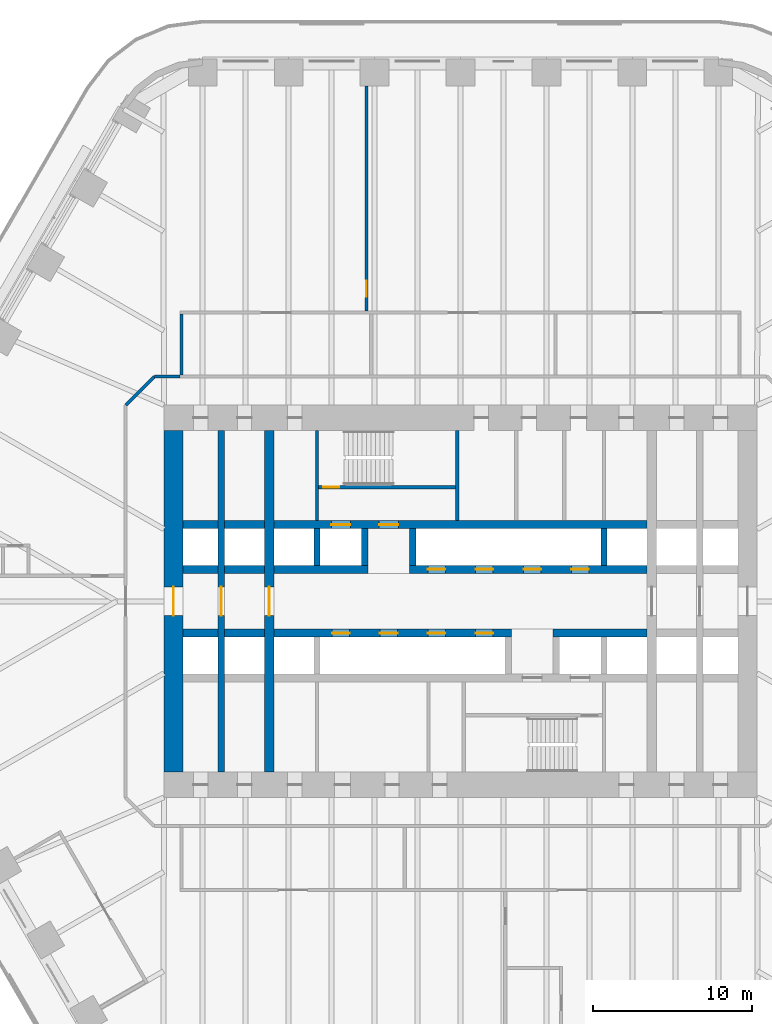
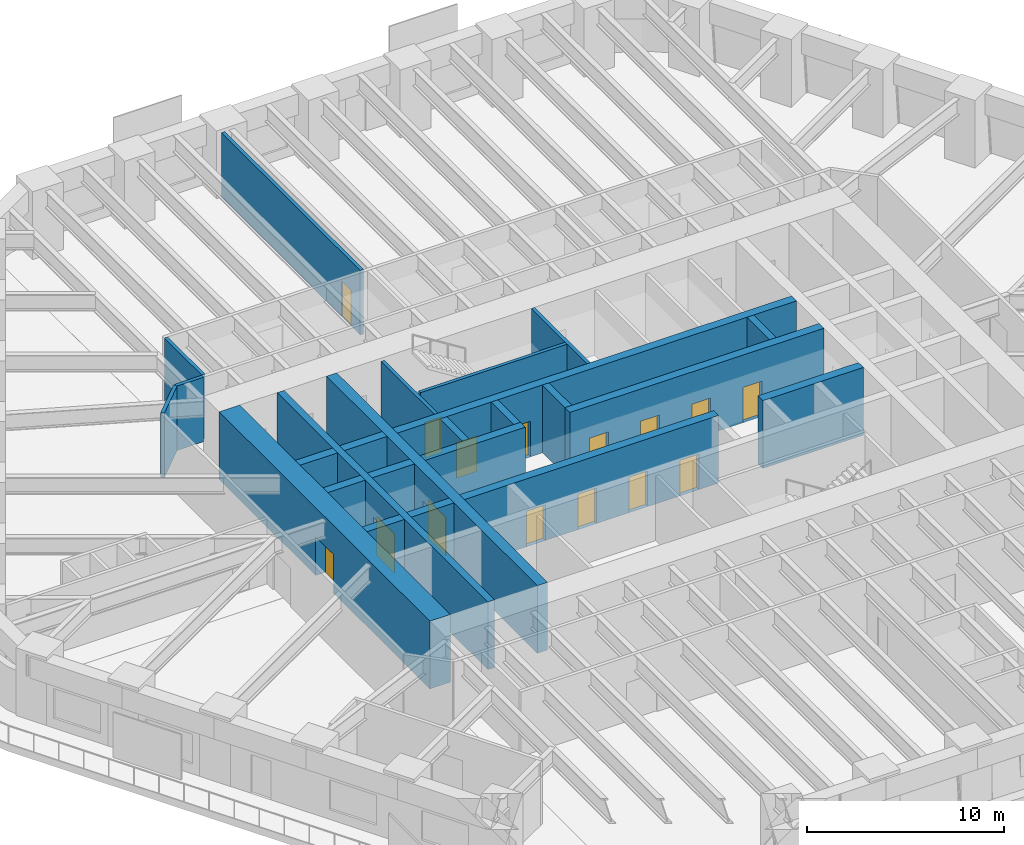
# One storey, part 18 of 23: 25 walls, 15 doors, 15 openings.
"""IFC4 building model written with IfcOpenShell, lengths in metres."""

from ifc_helpers import new_model, si_unit, direction, frame, frame_2d, origin, place, context, subcontext, project, spatial, rectangle, extrude, material, layer, layer_set, type_object, element, fill, save


model = new_model("IFC4")

# Units and contexts
model_context = context("Model", 3, precision=1e-05, world=origin(), true_north=direction((0.0, 1.0)))
body_context = subcontext(model_context, "Body", "Model", "MODEL_VIEW")
ifc_project = project(units=[si_unit("LENGTHUNIT", "METRE"), si_unit("AREAUNIT", "SQUARE_METRE"), si_unit("VOLUMEUNIT", "CUBIC_METRE"), si_unit("PLANEANGLEUNIT", "RADIAN"), si_unit("MASSUNIT", "GRAM", prefix="KILO")], contexts=[model_context])

# Site, building, storey
site_placement = place(None, origin())
site = spatial("IfcSite", under=ifc_project, at=site_placement, CompositionType="ELEMENT")
building_placement = place(site_placement, origin())
building = spatial("IfcBuilding", under=site, at=building_placement, Name="Tarfa Lantern Tower", CompositionType="ELEMENT")
storey_placement = place(building_placement, frame((0.0, 0.0, 86.5)))
storey = spatial("IfcBuildingStorey", under=building, at=storey_placement, Name="L19", CompositionType="ELEMENT", Elevation=86.5)

# Walls
ifc_material_1 = material(Name="Concrete blockwork", Category="masonry")
ifc_layer_1 = layer(ifc_material_1, 0.199951171875)
ifc_layer_set_1 = layer_set([ifc_layer_1], Name="IW1 BLOCKWORK PARTITION 200 EI 120")
wall_type_1 = type_object("IfcWallType", Name="IW1 BLOCKWORK PARTITION 200 EI 120", PredefinedType="PARTITIONING", material=ifc_layer_set_1)
wall_1_placement = place(storey_placement, frame((-9.0, 5.050048828125, 0.0), z_axis=(0.0, 0.0, 1.0), x_axis=(0.0, 1.0, 0.0)))
element("IfcWall", 1, at=wall_1_placement, inside=storey, type_object=wall_type_1, Name="Core partition", PredefinedType="PARTITIONING", context=body_context, shape_type="SweptSolid", body=[
    extrude(rectangle(XDim=5.64990234375, YDim=0.199951171875, at=frame_2d((2.824951171875, 0.0))), origin(), (0.0, 0.0, 1.0), 4.0),
])
ifc_material_2 = material(Name="Gypsum board on steel studs", Category="steel")
ifc_layer_2 = layer(ifc_material_2, 0.2099609375)
ifc_layer_set_2 = layer_set([ifc_layer_2], Name="IW2 ACOUSTIC PARTITION 200")
wall_type_2 = type_object("IfcWallType", Name="IW2 ACOUSTIC PARTITION 200", PredefinedType="PARTITIONING", material=ifc_layer_set_2)
wall_2_placement = place(storey_placement, frame((-17.5, 14.199951171875, 0.0), z_axis=(0.0, 0.0, 1.0), x_axis=(0.0, 1.0, 0.0)))
element("IfcWall", 2, at=wall_2_placement, inside=storey, type_object=wall_type_2, Name="Partition", PredefinedType="PARTITIONING", context=body_context, shape_type="SweptSolid", body=[
    extrude(rectangle(XDim=3.800048828125, YDim=0.199951171875, at=frame_2d((1.89990234375, 0.0))), origin(), (0.0, 0.0, 1.0), 4.0),
])
wall_3_placement = place(storey_placement, frame((-19.199951171875, 14.10009765625, 0.0), z_axis=(0.0, 0.0, 1.0), x_axis=(1.0, 0.0, 0.0)))
element("IfcWall", 3, at=wall_3_placement, inside=storey, type_object=wall_type_2, Name="Partition", PredefinedType="PARTITIONING", context=body_context, shape_type="SweptSolid", body=[
    extrude(rectangle(XDim=1.599853515625, YDim=0.199951171875, at=frame_2d((0.7998046875, 0.0))), origin(), (0.0, 0.0, 1.0), 4.0),
])
wall_4_placement = place(storey_placement, frame((-21.0, 12.300048828125, 0.0), z_axis=(0.0, 0.0, 1.0), x_axis=(0.707106781187, 0.707106781187, 0.0)))
element("IfcWall", 4, at=wall_4_placement, inside=storey, type_object=wall_type_2, Name="Partition", PredefinedType="PARTITIONING", context=body_context, shape_type="SweptSolid", body=[
    extrude(rectangle(XDim=2.545654296875, YDim=0.199951171875, at=frame_2d((1.27294921875, 0.0))), origin(), (0.0, 0.0, 1.0), 4.0),
])

# Wall, opening, door
wall_5_placement = place(storey_placement, frame((-5.89990234375, 18.199951171875, 0.0), z_axis=(0.0, 0.0, 1.0), x_axis=(0.0, 1.0, 0.0)))
wall_5 = element("IfcWall", 5, at=wall_5_placement, inside=storey, type_object=wall_type_2, Name="Partition", PredefinedType="PARTITIONING", context=body_context, shape_type="SweptSolid", body=[
    extrude(rectangle(XDim=14.10009765625, YDim=0.199951171875, at=frame_2d((7.050048828125, 0.0))), origin(), (0.0, 0.0, 1.0), 4.0),
])
opening_1_placement = place(wall_5_placement, frame((0.909912109375, 0.0, 0.0)))
opening_1 = element("IfcOpeningElement", 6, at=opening_1_placement, cuts=wall_5, Name="Opening D44", PredefinedType="OPENING", context=body_context, shape_type="SweptSolid", body=[
    extrude(rectangle(XDim=1.0, YDim=2.199951171875, at=frame_2d((0.5, 1.10009765625))), frame((0.0, 0.10986328125, 0.0), z_axis=(0.0, -1.0, 0.0), x_axis=(1.0, 0.0, 0.0)), (0.0, 0.0, 1.0), 0.219970703125),
])
ifc_material_3 = material(Name="Timber door", Category="wood")
door_type_1 = type_object("IfcDoorType", Name="DR1 ROOM DOOR 1000x2200", OperationType="SINGLE_SWING_LEFT", PredefinedType="DOOR", material=ifc_material_3)
door_1_placement = place(opening_1_placement, origin())
door_1 = element("IfcDoor", 7, at=door_1_placement, inside=storey, type_object=door_type_1, Name="Zone door", OperationType="SINGLE_SWING_RIGHT", OverallHeight=2.199951171875, OverallWidth=1.0, PredefinedType="DOOR", context=body_context, shape_type="SweptSolid", body=[
    extrude(rectangle(XDim=1.0, YDim=2.199951171875, at=frame_2d((0.5, 1.10009765625))), frame((0.0, 0.02490234375, 0.0), z_axis=(0.0, -1.0, 0.0), x_axis=(1.0, 0.0, 0.0)), (0.0, 0.0, 1.0), 0.050048828125),
])
fill(opening_1, door_1)

ifc_material_4 = material(Name="Concrete C80/95", Category="concrete")
ifc_layer_3 = layer(ifc_material_4, 1.199951171875)
ifc_layer_set_3 = layer_set([ifc_layer_3], Name="SW1 CORE WALL 1200")
wall_type_3 = type_object("IfcWallType", Name="SW1 CORE WALL 1200", PredefinedType="SHEAR", material=ifc_layer_set_3)
wall_6_placement = place(storey_placement, frame((-18.0, 10.699951171875, 0.0), z_axis=(0.0, 0.0, 1.0), x_axis=(0.0, -1.0, 0.0)))
wall_6 = element("IfcWall", 8, at=wall_6_placement, inside=storey, type_object=wall_type_3, Name="Core wall W", PredefinedType="SHEAR", context=body_context, shape_type="SweptSolid", body=[
    extrude(rectangle(XDim=21.39990234375, YDim=1.199951171875, at=frame_2d((10.699951171875, 0.0))), origin(), (0.0, 0.0, 1.0), 4.199951171875),
])
opening_2_placement = place(wall_6_placement, frame((9.800048828125, 0.0, 0.0)))
opening_2 = element("IfcOpeningElement", 9, at=opening_2_placement, cuts=wall_6, Name="Opening D16", PredefinedType="OPENING", context=body_context, shape_type="SweptSolid", body=[
    extrude(rectangle(XDim=1.800048828125, YDim=2.39990234375, at=frame_2d((0.89990234375, 1.199951171875))), frame((0.0, 0.60986328125, 0.0), z_axis=(0.0, -1.0, 0.0), x_axis=(1.0, 0.0, 0.0)), (0.0, 0.0, 1.0), 1.219970703125),
])
ifc_material_5 = material(Name="Steel fire door", Category="steel")
door_type_2 = type_object("IfcDoorType", Name="DL1 LOBBY DOOR 1800x2400", OperationType="DOUBLE_DOOR_SINGLE_SWING", PredefinedType="DOOR", material=ifc_material_5)
door_2_placement = place(opening_2_placement, frame((1.800048828125, 0.0, 0.0), z_axis=(0.0, 0.0, 1.0), x_axis=(-1.0, 0.0, 0.0)))
door_2 = element("IfcDoor", 10, at=door_2_placement, inside=storey, type_object=door_type_2, Name="Lift lobby door", OperationType="DOUBLE_DOOR_SINGLE_SWING", OverallHeight=2.39990234375, OverallWidth=1.800048828125, PredefinedType="DOOR", context=body_context, shape_type="SweptSolid", body=[
    extrude(rectangle(XDim=1.800048828125, YDim=2.39990234375, at=frame_2d((0.89990234375, 1.199951171875))), frame((0.0, 0.02490234375, 0.0), z_axis=(0.0, -1.0, 0.0), x_axis=(1.0, 0.0, 0.0)), (0.0, 0.0, 1.0), 0.050048828125),
])
fill(opening_2, door_2)

# Wall
ifc_layer_4 = layer(ifc_material_4, 0.199951171875)
ifc_layer_set_4 = layer_set([ifc_layer_4], Name="SW12 CORE WALL 200")
wall_type_4 = type_object("IfcWallType", Name="SW12 CORE WALL 200", PredefinedType="SHEAR", material=ifc_layer_set_4)
wall_7_placement = place(storey_placement, frame((-0.199951171875, 5.050048828125, 0.0), z_axis=(0.0, 0.0, 1.0), x_axis=(0.0, 1.0, 0.0)))
element("IfcWall", 11, at=wall_7_placement, inside=storey, type_object=wall_type_4, Name="Core wall stair shaft N", PredefinedType="SHEAR", context=body_context, shape_type="SweptSolid", body=[
    extrude(rectangle(XDim=5.64990234375, YDim=0.199951171875, at=frame_2d((2.824951171875, 0.0))), origin(), (0.0, 0.0, 1.0), 4.199951171875),
])

# Wall, opening, door
wall_8_placement = place(storey_placement, frame((-8.89990234375, 7.14990234375, 0.0), z_axis=(0.0, 0.0, 1.0), x_axis=(1.0, 0.0, 0.0)))
wall_8 = element("IfcWall", 12, at=wall_8_placement, inside=storey, type_object=wall_type_4, Name="Core wall stair partition N", PredefinedType="SHEAR", context=body_context, shape_type="SweptSolid", body=[
    extrude(rectangle(XDim=8.599853515625, YDim=0.199951171875, at=frame_2d((4.2998046875, 0.0))), origin(), (0.0, 0.0, 1.0), 4.199951171875),
])
opening_3_placement = place(wall_8_placement, frame((0.300048828125, 0.0, 0.0)))
opening_3 = element("IfcOpeningElement", 13, at=opening_3_placement, cuts=wall_8, Name="Opening D23", PredefinedType="OPENING", context=body_context, shape_type="SweptSolid", body=[
    extrude(rectangle(XDim=1.0, YDim=2.199951171875, at=frame_2d((0.5, 1.10009765625))), frame((0.0, 0.10986328125, 0.0), z_axis=(0.0, -1.0, 0.0), x_axis=(1.0, 0.0, 0.0)), (0.0, 0.0, 1.0), 0.219970703125),
])
door_type_3 = type_object("IfcDoorType", Name="DF2 STAIR DOOR 1000x2200", OperationType="SINGLE_SWING_LEFT", PredefinedType="DOOR", material=ifc_material_5)
door_3_placement = place(opening_3_placement, origin())
door_3 = element("IfcDoor", 14, at=door_3_placement, inside=storey, type_object=door_type_3, Name="Stair door", OperationType="SINGLE_SWING_RIGHT", OverallHeight=2.199951171875, OverallWidth=1.0, PredefinedType="DOOR", context=body_context, shape_type="SweptSolid", body=[
    extrude(rectangle(XDim=1.0, YDim=2.199951171875, at=frame_2d((0.5, 1.10009765625))), frame((0.0, 0.02490234375, 0.0), z_axis=(0.0, -1.0, 0.0), x_axis=(1.0, 0.0, 0.0)), (0.0, 0.0, 1.0), 0.050048828125),
])
fill(opening_3, door_3)

# Walls
ifc_layer_5 = layer(ifc_material_4, 0.5)
ifc_layer_set_5 = layer_set([ifc_layer_5], Name="SW5 CORE WALL 500")
wall_type_5 = type_object("IfcWallType", Name="SW5 CORE WALL 500", PredefinedType="SHEAR", material=ifc_layer_set_5)
wall_9_placement = place(storey_placement, frame((-17.39990234375, 2.0, 0.0), z_axis=(0.0, 0.0, 1.0), x_axis=(1.0, 0.0, 0.0)))
element("IfcWall", 15, at=wall_9_placement, inside=storey, type_object=wall_type_5, Name="Core wall lobby west N", PredefinedType="SHEAR", context=body_context, shape_type="SweptSolid", body=[
    extrude(rectangle(XDim=2.199951171875, YDim=0.5, at=frame_2d((1.10009765625, 0.0))), origin(), (0.0, 0.0, 1.0), 4.199951171875),
])
wall_10_placement = place(storey_placement, frame((-14.800048828125, 2.0, 0.0), z_axis=(0.0, 0.0, 1.0), x_axis=(1.0, 0.0, 0.0)))
element("IfcWall", 16, at=wall_10_placement, inside=storey, type_object=wall_type_5, Name="Core wall lobby west N", PredefinedType="SHEAR", context=body_context, shape_type="SweptSolid", body=[
    extrude(rectangle(XDim=2.5, YDim=0.5, at=frame_2d((1.25, 0.0))), origin(), (0.0, 0.0, 1.0), 4.199951171875),
])
wall_11_placement = place(storey_placement, frame((-11.699951171875, 2.0, 0.0), z_axis=(0.0, 0.0, 1.0), x_axis=(1.0, 0.0, 0.0)))
element("IfcWall", 17, at=wall_11_placement, inside=storey, type_object=wall_type_5, Name="Core wall lobby west N", PredefinedType="SHEAR", context=body_context, shape_type="SweptSolid", body=[
    extrude(rectangle(XDim=5.89990234375, YDim=0.5, at=frame_2d((2.949951171875, 0.0))), origin(), (0.0, 0.0, 1.0), 4.199951171875),
])

# Wall, openings, doors
wall_12_placement = place(storey_placement, frame((-3.199951171875, 2.0, 0.0), z_axis=(0.0, 0.0, 1.0), x_axis=(1.0, 0.0, 0.0)))
wall_12 = element("IfcWall", 18, at=wall_12_placement, inside=storey, type_object=wall_type_5, Name="Core wall lobby east N", PredefinedType="SHEAR", context=body_context, shape_type="SweptSolid", body=[
    extrude(rectangle(XDim=14.89990234375, YDim=0.5, at=frame_2d((7.449951171875, 0.0))), origin(), (0.0, 0.0, 1.0), 4.199951171875),
])
opening_4_placement = place(wall_12_placement, frame((1.14990234375, 0.0, 0.0)))
opening_4 = element("IfcOpeningElement", 19, at=opening_4_placement, cuts=wall_12, Name="Opening LD03", PredefinedType="OPENING", context=body_context, shape_type="SweptSolid", body=[
    extrude(rectangle(XDim=1.10009765625, YDim=2.199951171875, at=frame_2d((0.550048828125, 1.10009765625))), frame((0.0, 0.260009765625, 0.0), z_axis=(0.0, -1.0, 0.0), x_axis=(1.0, 0.0, 0.0)), (0.0, 0.0, 1.0), 0.52001953125),
])
opening_5_placement = place(wall_12_placement, frame((4.14990234375, 0.0, 0.0)))
opening_5 = element("IfcOpeningElement", 20, at=opening_5_placement, cuts=wall_12, Name="Opening LD04", PredefinedType="OPENING", context=body_context, shape_type="SweptSolid", body=[
    extrude(rectangle(XDim=1.10009765625, YDim=2.199951171875, at=frame_2d((0.550048828125, 1.10009765625))), frame((0.0, 0.260009765625, 0.0), z_axis=(0.0, -1.0, 0.0), x_axis=(1.0, 0.0, 0.0)), (0.0, 0.0, 1.0), 0.52001953125),
])
opening_6_placement = place(wall_12_placement, frame((7.14990234375, 0.0, 0.0)))
opening_6 = element("IfcOpeningElement", 21, at=opening_6_placement, cuts=wall_12, Name="Opening LD05", PredefinedType="OPENING", context=body_context, shape_type="SweptSolid", body=[
    extrude(rectangle(XDim=1.10009765625, YDim=2.199951171875, at=frame_2d((0.550048828125, 1.10009765625))), frame((0.0, 0.260009765625, 0.0), z_axis=(0.0, -1.0, 0.0), x_axis=(1.0, 0.0, 0.0)), (0.0, 0.0, 1.0), 0.52001953125),
])
opening_7_placement = place(wall_12_placement, frame((10.14990234375, 0.0, 0.0)))
opening_7 = element("IfcOpeningElement", 22, at=opening_7_placement, cuts=wall_12, Name="Opening LD06", PredefinedType="OPENING", context=body_context, shape_type="SweptSolid", body=[
    extrude(rectangle(XDim=1.10009765625, YDim=2.199951171875, at=frame_2d((0.550048828125, 1.10009765625))), frame((0.0, 0.260009765625, 0.0), z_axis=(0.0, -1.0, 0.0), x_axis=(1.0, 0.0, 0.0)), (0.0, 0.0, 1.0), 0.52001953125),
])
ifc_material_6 = material(Name="Stainless steel lift door", Category="steel")
door_type_4 = type_object("IfcDoorType", Name="LD2 LIFT LANDING DOOR 1100x2200", OperationType="SLIDING_TO_LEFT", PredefinedType="DOOR", material=ifc_material_6)
door_4_placement = place(opening_4_placement, frame((1.10009765625, 0.0, 0.0), z_axis=(0.0, 0.0, 1.0), x_axis=(-1.0, 0.0, 0.0)))
door_4 = element("IfcDoor", 23, at=door_4_placement, inside=storey, type_object=door_type_4, Name="Landing door PA1", OperationType="SLIDING_TO_LEFT", OverallHeight=2.199951171875, OverallWidth=1.10009765625, PredefinedType="DOOR", context=body_context, shape_type="SweptSolid", body=[
    extrude(rectangle(XDim=1.10009765625, YDim=2.199951171875, at=frame_2d((0.550048828125, 1.10009765625))), frame((0.0, 0.02490234375, 0.0), z_axis=(0.0, -1.0, 0.0), x_axis=(1.0, 0.0, 0.0)), (0.0, 0.0, 1.0), 0.050048828125),
])
fill(opening_4, door_4)
door_5_placement = place(opening_5_placement, frame((1.10009765625, 0.0, 0.0), z_axis=(0.0, 0.0, 1.0), x_axis=(-1.0, 0.0, 0.0)))
door_5 = element("IfcDoor", 24, at=door_5_placement, inside=storey, type_object=door_type_4, Name="Landing door PA2", OperationType="SLIDING_TO_LEFT", OverallHeight=2.199951171875, OverallWidth=1.10009765625, PredefinedType="DOOR", context=body_context, shape_type="SweptSolid", body=[
    extrude(rectangle(XDim=1.10009765625, YDim=2.199951171875, at=frame_2d((0.550048828125, 1.10009765625))), frame((0.0, 0.02490234375, 0.0), z_axis=(0.0, -1.0, 0.0), x_axis=(1.0, 0.0, 0.0)), (0.0, 0.0, 1.0), 0.050048828125),
])
fill(opening_5, door_5)
door_6_placement = place(opening_6_placement, frame((1.10009765625, 0.0, 0.0), z_axis=(0.0, 0.0, 1.0), x_axis=(-1.0, 0.0, 0.0)))
door_6 = element("IfcDoor", 25, at=door_6_placement, inside=storey, type_object=door_type_4, Name="Landing door PA3", OperationType="SLIDING_TO_LEFT", OverallHeight=2.199951171875, OverallWidth=1.10009765625, PredefinedType="DOOR", context=body_context, shape_type="SweptSolid", body=[
    extrude(rectangle(XDim=1.10009765625, YDim=2.199951171875, at=frame_2d((0.550048828125, 1.10009765625))), frame((0.0, 0.02490234375, 0.0), z_axis=(0.0, -1.0, 0.0), x_axis=(1.0, 0.0, 0.0)), (0.0, 0.0, 1.0), 0.050048828125),
])
fill(opening_6, door_6)
door_7_placement = place(opening_7_placement, frame((1.10009765625, 0.0, 0.0), z_axis=(0.0, 0.0, 1.0), x_axis=(-1.0, 0.0, 0.0)))
door_7 = element("IfcDoor", 26, at=door_7_placement, inside=storey, type_object=door_type_4, Name="Landing door PA4", OperationType="SLIDING_TO_LEFT", OverallHeight=2.199951171875, OverallWidth=1.10009765625, PredefinedType="DOOR", context=body_context, shape_type="SweptSolid", body=[
    extrude(rectangle(XDim=1.10009765625, YDim=2.199951171875, at=frame_2d((0.550048828125, 1.10009765625))), frame((0.0, 0.02490234375, 0.0), z_axis=(0.0, -1.0, 0.0), x_axis=(1.0, 0.0, 0.0)), (0.0, 0.0, 1.0), 0.050048828125),
])
fill(opening_7, door_7)

# Walls
wall_13_placement = place(storey_placement, frame((-17.39990234375, 4.800048828125, 0.0), z_axis=(0.0, 0.0, 1.0), x_axis=(1.0, 0.0, 0.0)))
element("IfcWall", 27, at=wall_13_placement, inside=storey, type_object=wall_type_5, Name="Core wall rear N", PredefinedType="SHEAR", context=body_context, shape_type="SweptSolid", body=[
    extrude(rectangle(XDim=2.199951171875, YDim=0.5, at=frame_2d((1.10009765625, 0.0))), origin(), (0.0, 0.0, 1.0), 4.199951171875),
])
wall_14_placement = place(storey_placement, frame((-14.800048828125, 4.800048828125, 0.0), z_axis=(0.0, 0.0, 1.0), x_axis=(1.0, 0.0, 0.0)))
element("IfcWall", 28, at=wall_14_placement, inside=storey, type_object=wall_type_5, Name="Core wall rear N", PredefinedType="SHEAR", context=body_context, shape_type="SweptSolid", body=[
    extrude(rectangle(XDim=2.5, YDim=0.5, at=frame_2d((1.25, 0.0))), origin(), (0.0, 0.0, 1.0), 4.199951171875),
])

# Wall, openings, doors
wall_15_placement = place(storey_placement, frame((-11.699951171875, 4.800048828125, 0.0), z_axis=(0.0, 0.0, 1.0), x_axis=(1.0, 0.0, 0.0)))
wall_15 = element("IfcWall", 29, at=wall_15_placement, inside=storey, type_object=wall_type_5, Name="Core wall rear N", PredefinedType="SHEAR", context=body_context, shape_type="SweptSolid", body=[
    extrude(rectangle(XDim=23.39990234375, YDim=0.5, at=frame_2d((11.699951171875, 0.0))), origin(), (0.0, 0.0, 1.0), 4.199951171875),
])
opening_8_placement = place(wall_15_placement, frame((6.60009765625, 0.0, 0.0)))
opening_8 = element("IfcOpeningElement", 30, at=opening_8_placement, cuts=wall_15, Name="Opening D13", PredefinedType="OPENING", context=body_context, shape_type="SweptSolid", body=[
    extrude(rectangle(XDim=1.199951171875, YDim=2.199951171875, at=frame_2d((0.60009765625, 1.10009765625))), frame((0.0, 0.260009765625, 0.0), z_axis=(0.0, -1.0, 0.0), x_axis=(1.0, 0.0, 0.0)), (0.0, 0.0, 1.0), 0.52001953125),
])
opening_9_placement = place(wall_15_placement, frame((3.60009765625, 0.0, 0.0)))
opening_9 = element("IfcOpeningElement", 31, at=opening_9_placement, cuts=wall_15, Name="Opening LD01", PredefinedType="OPENING", context=body_context, shape_type="SweptSolid", body=[
    extrude(rectangle(XDim=1.199951171875, YDim=2.199951171875, at=frame_2d((0.60009765625, 1.10009765625))), frame((0.0, 0.260009765625, 0.0), z_axis=(0.0, -1.0, 0.0), x_axis=(1.0, 0.0, 0.0)), (0.0, 0.0, 1.0), 0.52001953125),
])
door_type_5 = type_object("IfcDoorType", Name="DF1 FIREFIGHTING LOBBY DOOR 1200x2200", OperationType="SINGLE_SWING_LEFT", PredefinedType="DOOR", material=ifc_material_5)
door_8_placement = place(opening_8_placement, origin())
door_8 = element("IfcDoor", 32, at=door_8_placement, inside=storey, type_object=door_type_5, Name="Firefighting lobby door", OperationType="SINGLE_SWING_LEFT", OverallHeight=2.199951171875, OverallWidth=1.199951171875, PredefinedType="DOOR", context=body_context, shape_type="SweptSolid", body=[
    extrude(rectangle(XDim=1.199951171875, YDim=2.199951171875, at=frame_2d((0.60009765625, 1.10009765625))), frame((0.0, 0.02490234375, 0.0), z_axis=(0.0, -1.0, 0.0), x_axis=(1.0, 0.0, 0.0)), (0.0, 0.0, 1.0), 0.050048828125),
])
fill(opening_8, door_8)
door_type_6 = type_object("IfcDoorType", Name="LD1 LIFT LANDING DOOR 1200x2200", OperationType="SLIDING_TO_LEFT", PredefinedType="DOOR", material=ifc_material_6)
door_9_placement = place(opening_9_placement, origin())
door_9 = element("IfcDoor", 33, at=door_9_placement, inside=storey, type_object=door_type_6, Name="Landing door FL1", OperationType="SLIDING_TO_LEFT", OverallHeight=2.199951171875, OverallWidth=1.199951171875, PredefinedType="DOOR", context=body_context, shape_type="SweptSolid", body=[
    extrude(rectangle(XDim=1.199951171875, YDim=2.199951171875, at=frame_2d((0.60009765625, 1.10009765625))), frame((0.0, 0.02490234375, 0.0), z_axis=(0.0, -1.0, 0.0), x_axis=(1.0, 0.0, 0.0)), (0.0, 0.0, 1.0), 0.050048828125),
])
fill(opening_9, door_9)

# Wall
wall_16_placement = place(storey_placement, frame((11.699951171875, -2.0, 0.0), z_axis=(0.0, 0.0, 1.0), x_axis=(-1.0, 0.0, 0.0)))
element("IfcWall", 34, at=wall_16_placement, inside=storey, type_object=wall_type_5, Name="Core wall lobby west S", PredefinedType="SHEAR", context=body_context, shape_type="SweptSolid", body=[
    extrude(rectangle(XDim=5.89990234375, YDim=0.5, at=frame_2d((2.949951171875, 0.0))), origin(), (0.0, 0.0, 1.0), 4.199951171875),
])

# Wall, openings, doors
wall_17_placement = place(storey_placement, frame((3.199951171875, -2.0, 0.0), z_axis=(0.0, 0.0, 1.0), x_axis=(-1.0, 0.0, 0.0)))
wall_17 = element("IfcWall", 35, at=wall_17_placement, inside=storey, type_object=wall_type_5, Name="Core wall lobby east S", PredefinedType="SHEAR", context=body_context, shape_type="SweptSolid", body=[
    extrude(rectangle(XDim=14.89990234375, YDim=0.5, at=frame_2d((7.449951171875, 0.0))), origin(), (0.0, 0.0, 1.0), 4.199951171875),
])
opening_10_placement = place(wall_17_placement, frame((1.14990234375, 0.0, 0.0)))
opening_10 = element("IfcOpeningElement", 36, at=opening_10_placement, cuts=wall_17, Name="Opening LD07", PredefinedType="OPENING", context=body_context, shape_type="SweptSolid", body=[
    extrude(rectangle(XDim=1.10009765625, YDim=2.199951171875, at=frame_2d((0.550048828125, 1.10009765625))), frame((0.0, 0.260009765625, 0.0), z_axis=(0.0, -1.0, 0.0), x_axis=(1.0, 0.0, 0.0)), (0.0, 0.0, 1.0), 0.52001953125),
])
opening_11_placement = place(wall_17_placement, frame((4.14990234375, 0.0, 0.0)))
opening_11 = element("IfcOpeningElement", 37, at=opening_11_placement, cuts=wall_17, Name="Opening LD08", PredefinedType="OPENING", context=body_context, shape_type="SweptSolid", body=[
    extrude(rectangle(XDim=1.10009765625, YDim=2.199951171875, at=frame_2d((0.550048828125, 1.10009765625))), frame((0.0, 0.260009765625, 0.0), z_axis=(0.0, -1.0, 0.0), x_axis=(1.0, 0.0, 0.0)), (0.0, 0.0, 1.0), 0.52001953125),
])
opening_12_placement = place(wall_17_placement, frame((7.14990234375, 0.0, 0.0)))
opening_12 = element("IfcOpeningElement", 38, at=opening_12_placement, cuts=wall_17, Name="Opening LD09", PredefinedType="OPENING", context=body_context, shape_type="SweptSolid", body=[
    extrude(rectangle(XDim=1.10009765625, YDim=2.199951171875, at=frame_2d((0.550048828125, 1.10009765625))), frame((0.0, 0.260009765625, 0.0), z_axis=(0.0, -1.0, 0.0), x_axis=(1.0, 0.0, 0.0)), (0.0, 0.0, 1.0), 0.52001953125),
])
opening_13_placement = place(wall_17_placement, frame((10.14990234375, 0.0, 0.0)))
opening_13 = element("IfcOpeningElement", 39, at=opening_13_placement, cuts=wall_17, Name="Opening LD10", PredefinedType="OPENING", context=body_context, shape_type="SweptSolid", body=[
    extrude(rectangle(XDim=1.10009765625, YDim=2.199951171875, at=frame_2d((0.550048828125, 1.10009765625))), frame((0.0, 0.260009765625, 0.0), z_axis=(0.0, -1.0, 0.0), x_axis=(1.0, 0.0, 0.0)), (0.0, 0.0, 1.0), 0.52001953125),
])
door_10_placement = place(opening_10_placement, frame((1.10009765625, 0.0, 0.0), z_axis=(0.0, 0.0, 1.0), x_axis=(-1.0, 0.0, 0.0)))
door_10 = element("IfcDoor", 40, at=door_10_placement, inside=storey, type_object=door_type_4, Name="Landing door PA5", OperationType="SLIDING_TO_LEFT", OverallHeight=2.199951171875, OverallWidth=1.10009765625, PredefinedType="DOOR", context=body_context, shape_type="SweptSolid", body=[
    extrude(rectangle(XDim=1.10009765625, YDim=2.199951171875, at=frame_2d((0.550048828125, 1.10009765625))), frame((0.0, 0.02490234375, 0.0), z_axis=(0.0, -1.0, 0.0), x_axis=(1.0, 0.0, 0.0)), (0.0, 0.0, 1.0), 0.050048828125),
])
fill(opening_10, door_10)
door_11_placement = place(opening_11_placement, frame((1.10009765625, 0.0, 0.0), z_axis=(0.0, 0.0, 1.0), x_axis=(-1.0, 0.0, 0.0)))
door_11 = element("IfcDoor", 41, at=door_11_placement, inside=storey, type_object=door_type_4, Name="Landing door PA6", OperationType="SLIDING_TO_LEFT", OverallHeight=2.199951171875, OverallWidth=1.10009765625, PredefinedType="DOOR", context=body_context, shape_type="SweptSolid", body=[
    extrude(rectangle(XDim=1.10009765625, YDim=2.199951171875, at=frame_2d((0.550048828125, 1.10009765625))), frame((0.0, 0.02490234375, 0.0), z_axis=(0.0, -1.0, 0.0), x_axis=(1.0, 0.0, 0.0)), (0.0, 0.0, 1.0), 0.050048828125),
])
fill(opening_11, door_11)
door_12_placement = place(opening_12_placement, frame((1.10009765625, 0.0, 0.0), z_axis=(0.0, 0.0, 1.0), x_axis=(-1.0, 0.0, 0.0)))
door_12 = element("IfcDoor", 42, at=door_12_placement, inside=storey, type_object=door_type_4, Name="Landing door PA7", OperationType="SLIDING_TO_LEFT", OverallHeight=2.199951171875, OverallWidth=1.10009765625, PredefinedType="DOOR", context=body_context, shape_type="SweptSolid", body=[
    extrude(rectangle(XDim=1.10009765625, YDim=2.199951171875, at=frame_2d((0.550048828125, 1.10009765625))), frame((0.0, 0.02490234375, 0.0), z_axis=(0.0, -1.0, 0.0), x_axis=(1.0, 0.0, 0.0)), (0.0, 0.0, 1.0), 0.050048828125),
])
fill(opening_12, door_12)
door_13_placement = place(opening_13_placement, frame((1.10009765625, 0.0, 0.0), z_axis=(0.0, 0.0, 1.0), x_axis=(-1.0, 0.0, 0.0)))
door_13 = element("IfcDoor", 43, at=door_13_placement, inside=storey, type_object=door_type_4, Name="Landing door PA8", OperationType="SLIDING_TO_LEFT", OverallHeight=2.199951171875, OverallWidth=1.10009765625, PredefinedType="DOOR", context=body_context, shape_type="SweptSolid", body=[
    extrude(rectangle(XDim=1.10009765625, YDim=2.199951171875, at=frame_2d((0.550048828125, 1.10009765625))), frame((0.0, 0.02490234375, 0.0), z_axis=(0.0, -1.0, 0.0), x_axis=(1.0, 0.0, 0.0)), (0.0, 0.0, 1.0), 0.050048828125),
])
fill(opening_13, door_13)

# Walls
wall_18_placement = place(storey_placement, frame((-12.300048828125, -2.0, 0.0), z_axis=(0.0, 0.0, 1.0), x_axis=(-1.0, 0.0, 0.0)))
element("IfcWall", 44, at=wall_18_placement, inside=storey, type_object=wall_type_5, Name="Core wall lobby east S", PredefinedType="SHEAR", context=body_context, shape_type="SweptSolid", body=[
    extrude(rectangle(XDim=2.5, YDim=0.5, at=frame_2d((1.25, 0.0))), origin(), (0.0, 0.0, 1.0), 4.199951171875),
])
wall_19_placement = place(storey_placement, frame((-15.199951171875, -2.0, 0.0), z_axis=(0.0, 0.0, 1.0), x_axis=(-1.0, 0.0, 0.0)))
element("IfcWall", 45, at=wall_19_placement, inside=storey, type_object=wall_type_5, Name="Core wall lobby east S", PredefinedType="SHEAR", context=body_context, shape_type="SweptSolid", body=[
    extrude(rectangle(XDim=2.199951171875, YDim=0.5, at=frame_2d((1.10009765625, 0.0))), origin(), (0.0, 0.0, 1.0), 4.199951171875),
])

# Wall, opening, door
ifc_layer_6 = layer(ifc_material_4, 0.39990234375)
ifc_layer_set_6 = layer_set([ifc_layer_6], Name="SW6 CORE WALL 400")
wall_type_6 = type_object("IfcWallType", Name="SW6 CORE WALL 400", PredefinedType="SHEAR", material=ifc_layer_set_6)
wall_20_placement = place(storey_placement, frame((-15.0, -10.699951171875, 0.0), z_axis=(0.0, 0.0, 1.0), x_axis=(0.0, 1.0, 0.0)))
wall_20 = element("IfcWall", 46, at=wall_20_placement, inside=storey, type_object=wall_type_6, Name="Core wall cross 15 m west", PredefinedType="SHEAR", context=body_context, shape_type="SweptSolid", body=[
    extrude(rectangle(XDim=21.39990234375, YDim=0.39990234375, at=frame_2d((10.699951171875, 0.0))), origin(), (0.0, 0.0, 1.0), 4.199951171875),
])
opening_14_placement = place(wall_20_placement, frame((9.800048828125, 0.0, 0.0)))
opening_14 = element("IfcOpeningElement", 47, at=opening_14_placement, cuts=wall_20, Name="Opening D28", PredefinedType="OPENING", context=body_context, shape_type="SweptSolid", body=[
    extrude(rectangle(XDim=1.800048828125, YDim=2.39990234375, at=frame_2d((0.89990234375, 1.199951171875))), frame((0.0, 0.2099609375, 0.0), z_axis=(0.0, -1.0, 0.0), x_axis=(1.0, 0.0, 0.0)), (0.0, 0.0, 1.0), 0.419921875),
])
door_14_placement = place(opening_14_placement, origin())
door_14 = element("IfcDoor", 48, at=door_14_placement, inside=storey, type_object=door_type_2, Name="Lift lobby door", OperationType="DOUBLE_DOOR_SINGLE_SWING", OverallHeight=2.39990234375, OverallWidth=1.800048828125, PredefinedType="DOOR", context=body_context, shape_type="SweptSolid", body=[
    extrude(rectangle(XDim=1.800048828125, YDim=2.39990234375, at=frame_2d((0.89990234375, 1.199951171875))), frame((0.0, 0.02490234375, 0.0), z_axis=(0.0, -1.0, 0.0), x_axis=(1.0, 0.0, 0.0)), (0.0, 0.0, 1.0), 0.050048828125),
])
fill(opening_14, door_14)

# Walls
for number, where, z_axis, x_axis, name in (
    (49, (-9.0, 2.25, 0.0), (0.0, 0.0, 1.0), (0.0, 1.0, 0.0), "Core wall divider N"),
    (50, (-6.0, 2.25, 0.0), (0.0, 0.0, 1.0), (0.0, 1.0, 0.0), "Core wall divider N"),
    (51, (-3.0, 2.25, 0.0), (0.0, 0.0, 1.0), (0.0, 1.0, 0.0), "Core wall divider N"),
    (52, (9.0, 2.25, 0.0), (0.0, 0.0, 1.0), (0.0, 1.0, 0.0), "Core wall divider N"),
):
    element("IfcWall", number, at=place(storey_placement, frame(where, z_axis=z_axis, x_axis=x_axis)), inside=storey, type_object=wall_type_6, Name=name, PredefinedType="SHEAR", context=body_context, shape_type="SweptSolid", body=[
        extrude(rectangle(XDim=2.300048828125, YDim=0.39990234375, at=frame_2d((1.14990234375, 0.0))), origin(), (0.0, 0.0, 1.0), 4.199951171875),
    ])

# Wall, opening, door
ifc_layer_7 = layer(ifc_material_4, 0.60009765625)
ifc_layer_set_7 = layer_set([ifc_layer_7], Name="SW9 CORE WALL 600")
wall_type_7 = type_object("IfcWallType", Name="SW9 CORE WALL 600", PredefinedType="SHEAR", material=ifc_layer_set_7)
wall_21_placement = place(storey_placement, frame((-12.0, -10.699951171875, 0.0), z_axis=(0.0, 0.0, 1.0), x_axis=(0.0, 1.0, 0.0)))
wall_21 = element("IfcWall", 53, at=wall_21_placement, inside=storey, type_object=wall_type_7, Name="Core wall cross 12 m west", PredefinedType="SHEAR", context=body_context, shape_type="SweptSolid", body=[
    extrude(rectangle(XDim=21.39990234375, YDim=0.60009765625, at=frame_2d((10.699951171875, 0.0))), origin(), (0.0, 0.0, 1.0), 4.199951171875),
])
opening_15_placement = place(wall_21_placement, frame((9.800048828125, 0.0, 0.0)))
opening_15 = element("IfcOpeningElement", 54, at=opening_15_placement, cuts=wall_21, Name="Opening D27", PredefinedType="OPENING", context=body_context, shape_type="SweptSolid", body=[
    extrude(rectangle(XDim=1.800048828125, YDim=2.39990234375, at=frame_2d((0.89990234375, 1.199951171875))), frame((0.0, 0.31005859375, 0.0), z_axis=(0.0, -1.0, 0.0), x_axis=(1.0, 0.0, 0.0)), (0.0, 0.0, 1.0), 0.6201171875),
])
door_15_placement = place(opening_15_placement, origin())
door_15 = element("IfcDoor", 55, at=door_15_placement, inside=storey, type_object=door_type_2, Name="Lift lobby door", OperationType="DOUBLE_DOOR_SINGLE_SWING", OverallHeight=2.39990234375, OverallWidth=1.800048828125, PredefinedType="DOOR", context=body_context, shape_type="SweptSolid", body=[
    extrude(rectangle(XDim=1.800048828125, YDim=2.39990234375, at=frame_2d((0.89990234375, 1.199951171875))), frame((0.0, 0.02490234375, 0.0), z_axis=(0.0, -1.0, 0.0), x_axis=(1.0, 0.0, 0.0)), (0.0, 0.0, 1.0), 0.050048828125),
])
fill(opening_15, door_15)

save(model, "model.ifc")
